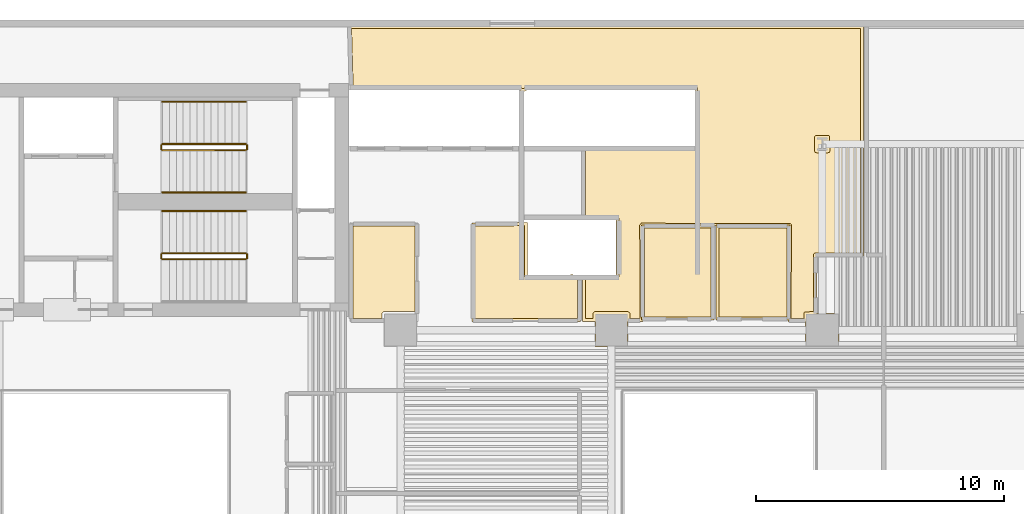
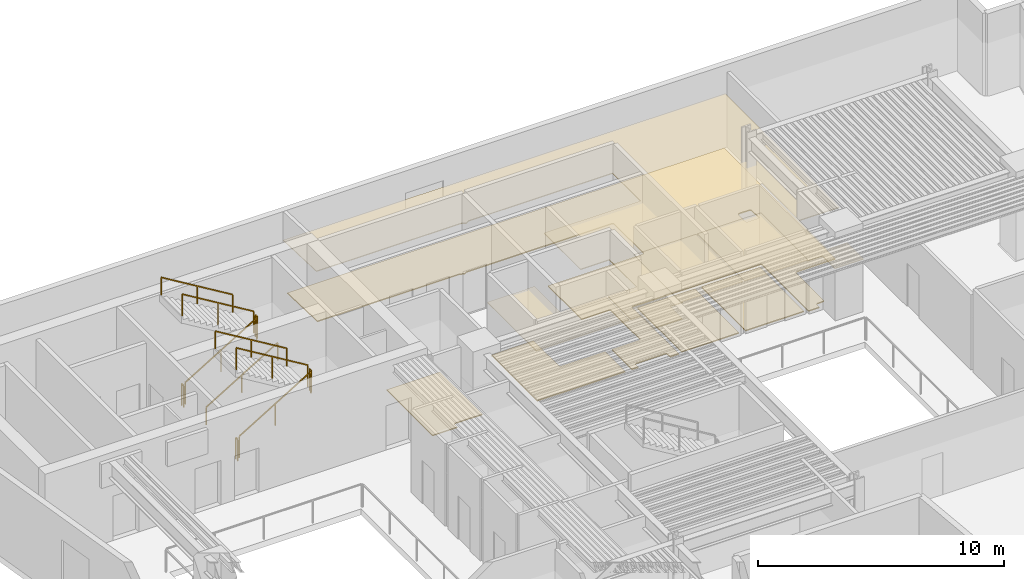
# One storey, part 11 of 12: 11 railings, 9 coverings.
"""IFC4 building model written with IfcOpenShell, lengths in metres."""

from ifc_helpers import new_model, si_unit, direction, frame, origin, origin_2d, place, context, subcontext, project, spatial, polyline, rectangle, outline, extrude, material, layer, layer_set, type_object, element, save


model = new_model("IFC4")

# Units and contexts
model_context = context("Model", 3, precision=1e-05, world=origin(), true_north=direction((0.0, 1.0)))
body_context = subcontext(model_context, "Body", "Model", "MODEL_VIEW")
ifc_project = project(units=[si_unit("LENGTHUNIT", "METRE"), si_unit("AREAUNIT", "SQUARE_METRE"), si_unit("VOLUMEUNIT", "CUBIC_METRE"), si_unit("PLANEANGLEUNIT", "RADIAN"), si_unit("MASSUNIT", "GRAM", prefix="KILO")], contexts=[model_context])

# Site, building, storey
site_placement = place(None, origin())
site = spatial("IfcSite", under=ifc_project, at=site_placement, CompositionType="ELEMENT")
building_placement = place(site_placement, origin())
building = spatial("IfcBuilding", under=site, at=building_placement, Name="Caeloran Harvest Quay", CompositionType="ELEMENT")
storey_placement = place(building_placement, frame((0.0, 0.0, 71.0)))
storey = spatial("IfcBuildingStorey", under=building, at=storey_placement, Name="L16", CompositionType="ELEMENT", Elevation=71.0)

# Coverings
ifc_material_1 = material(Name="Perforated Mineral-Fibre Acoustic Ceiling Tile", Category="ceiling")
ifc_layer_1 = layer(ifc_material_1, 0.0400390625, Name="Perforated Mineral-Fibre Acoustic Ceiling Tile")
ifc_layer_set_1 = layer_set([ifc_layer_1], Name="Perforated Mineral-Fibre Acoustic Ceiling Tile")
covering_type_1 = type_object("IfcCoveringType", Name="COV-CEILING-ACOUSTIC", PredefinedType="CEILING", material=ifc_layer_set_1)
covering_1_placement = place(storey_placement, frame((0.0, 0.0, 2.60009765625)))
element("IfcCovering", 1, at=covering_1_placement, inside=storey, type_object=covering_type_1, Name="L16 Core Telemetry West Room Acoustic Ceiling", PredefinedType="CEILING", context=body_context, shape_type="SweptSolid", body=[
    extrude(outline(polyline([(38.139892578125, 35.239990234375), (38.139892578125, 31.409912109375), (35.2099609375, 31.409912109375), (35.2099609375, 35.239990234375), (38.139892578125, 35.239990234375)])), origin(), (0.0, 0.0, 1.0), 0.039794921875),
])
covering_2_placement = place(storey_placement, frame((0.0, 0.0, 2.60009765625)))
element("IfcCovering", 2, at=covering_2_placement, inside=storey, type_object=covering_type_1, Name="L16 Core Metering East Room Acoustic Ceiling", PredefinedType="CEILING", context=body_context, shape_type="SweptSolid", body=[
    extrude(outline(polyline([(41.18994140625, 35.239990234375), (41.18994140625, 31.409912109375), (38.2099609375, 31.409912109375), (38.2099609375, 35.239990234375), (41.18994140625, 35.239990234375)])), origin(), (0.0, 0.0, 1.0), 0.039794921875),
])
covering_3_placement = place(storey_placement, frame((0.0, 0.0, 2.60009765625)))
element("IfcCovering", 3, at=covering_3_placement, inside=storey, type_object=covering_type_1, Name="Staff Wellness Lounge Acoustic Ceiling", PredefinedType="CEILING", context=body_context, shape_type="SweptSolid", body=[
    extrude(outline(polyline([(30.212890625, 35.31005859375), (30.22021484375, 35.330078125), (30.610107421875, 35.330078125), (30.610107421875, 33.2099609375), (32.34228515625, 33.2099609375), (32.34716796875, 33.22998046875), (32.45166015625, 33.235107421875), (32.457763671875, 33.2099609375), (32.760009765625, 33.2099609375), (32.760009765625, 31.340087890625), (28.389892578125, 31.340087890625), (28.389892578125, 35.31005859375), (30.212890625, 35.31005859375)])), origin(), (0.0, 0.0, 1.0), 0.039794921875),
])
covering_4_placement = place(storey_placement, frame((0.0, 0.0, 2.60009765625)))
element("IfcCovering", 4, at=covering_4_placement, inside=storey, type_object=covering_type_1, Name="Photobiology Spectrum Laboratory 11 Acoustic Ceiling", PredefinedType="CEILING", context=body_context, shape_type="SweptSolid", body=[
    extrude(outline(polyline([(33.330078125, 31.340087890625), (32.840087890625, 31.340087890625), (32.840087890625, 33.2099609375), (34.18994140625, 33.2099609375), (34.18994140625, 35.43994140625), (32.840087890625, 35.43994140625), (32.840087890625, 38.409912109375), (37.3701171875, 38.409912109375), (37.3701171875, 40.68994140625), (30.61083984375, 40.68994140625), (30.43994140625, 40.5888671875), (30.26904296875, 40.68994140625), (23.47119140625, 40.68994140625), (23.399658203125, 43.280029296875), (44.159912109375, 43.280029296875), (44.159912109375, 33.989990234375), (42.260009765625, 33.989990234375), (42.260009765625, 31.669921875), (43.169921875, 31.669921875), (43.169921875, 30.330078125), (41.830078125, 30.330078125), (41.830078125, 31.340087890625), (41.119873046875, 31.340087890625), (41.139892578125, 35.18994140625), (35.26025390625, 35.18994140625), (35.2802734375, 31.340087890625), (34.669921875, 31.340087890625), (34.669921875, 30.330078125), (33.330078125, 30.330078125), (33.330078125, 31.340087890625)])), origin(), (0.0, 0.0, 1.0), 0.039794921875),
])
ifc_material_2 = material(Name="Calcium-Sulphate Raised Access Floor and Terrazzo Finish", Category="flooring")
ifc_layer_2 = layer(ifc_material_2, 0.050048828125, Name="Calcium-Sulphate Raised Access Floor and Terrazzo Finish")
ifc_layer_set_2 = layer_set([ifc_layer_2], Name="Calcium-Sulphate Raised Access Floor and Terrazzo Finish")
covering_type_2 = type_object("IfcCoveringType", Name="COV-FLOOR-RAISED", PredefinedType="FLOORING", material=ifc_layer_set_2)
covering_5_placement = place(storey_placement, origin())
element("IfcCovering", 5, at=covering_5_placement, inside=storey, type_object=covering_type_2, Name="L16 Core Telemetry West Room Raised Finish Flooring", PredefinedType="FLOORING", context=body_context, shape_type="SweptSolid", body=[
    extrude(outline(polyline([(38.02001953125, 35.1201171875), (38.02001953125, 31.530029296875), (35.330078125, 31.530029296875), (35.330078125, 35.1201171875), (38.02001953125, 35.1201171875)])), origin(), (0.0, 0.0, 1.0), 0.050048828125),
])
covering_6_placement = place(storey_placement, origin())
element("IfcCovering", 6, at=covering_6_placement, inside=storey, type_object=covering_type_2, Name="L16 Core Metering East Room Raised Finish Flooring", PredefinedType="FLOORING", context=body_context, shape_type="SweptSolid", body=[
    extrude(outline(polyline([(41.070068359375, 35.1201171875), (41.070068359375, 31.530029296875), (38.330078125, 31.530029296875), (38.330078125, 35.1201171875), (41.070068359375, 35.1201171875)])), origin(), (0.0, 0.0, 1.0), 0.050048828125),
])
covering_7_placement = place(storey_placement, origin())
element("IfcCovering", 7, at=covering_7_placement, inside=storey, type_object=covering_type_2, Name="Staff Wellness Lounge Raised Finish Flooring", PredefinedType="FLOORING", context=body_context, shape_type="SweptSolid", body=[
    extrude(outline(polyline([(28.510009765625, 35.18994140625), (30.489990234375, 35.2099609375), (30.50634765625, 33.14208984375), (30.60009765625, 33.090087890625), (32.639892578125, 33.090087890625), (32.639892578125, 31.4599609375), (28.510009765625, 31.4599609375), (28.510009765625, 35.18994140625)])), origin(), (0.0, 0.0, 1.0), 0.050048828125),
])
covering_8_placement = place(storey_placement, origin())
element("IfcCovering", 8, at=covering_8_placement, inside=storey, type_object=covering_type_2, Name="Dwarf Citrus Mezzanine Growing Hall 9 Raised Finish Flooring", PredefinedType="FLOORING", context=body_context, shape_type="SweptSolid", body=[
    extrude(outline(polyline([(23.590087890625, 35.18994140625), (26.090087890625, 35.18994140625), (26.090087890625, 31.7451171875), (24.8271484375, 31.74462890625), (24.75830078125, 31.688232421875), (24.7548828125, 31.4599609375), (23.590087890625, 31.4599609375), (23.590087890625, 35.18994140625)])), origin(), (0.0, 0.0, 1.0), 0.050048828125),
])
covering_9_placement = place(storey_placement, origin())
element("IfcCovering", 9, at=covering_9_placement, inside=storey, type_object=covering_type_2, Name="Photobiology Spectrum Laboratory 11 Raised Finish Flooring", PredefinedType="FLOORING", context=body_context, shape_type="SweptSolid", body=[
    extrude(outline(polyline([(44.0400390625, 34.110107421875), (42.219970703125, 34.110107421875), (42.163330078125, 34.086669921875), (42.139892578125, 34.030029296875), (42.139892578125, 31.7451171875), (41.79052734375, 31.7314453125), (41.75537109375, 31.6728515625), (41.7548828125, 31.4599609375), (41.240478515625, 31.4599609375), (41.260009765625, 35.2294921875), (41.224609375, 35.29638671875), (35.204345703125, 35.30859375), (35.139892578125, 35.2294921875), (35.15966796875, 31.4599609375), (34.7451171875, 31.4599609375), (34.74169921875, 31.688232421875), (34.6650390625, 31.7451171875), (33.3193359375, 31.743408203125), (33.256591796875, 31.6806640625), (33.2548828125, 31.4599609375), (32.9599609375, 31.4599609375), (32.9599609375, 33.090087890625), (34.23779296875, 33.09033203125), (34.291748046875, 33.119140625), (34.31005859375, 33.169921875), (34.300537109375, 35.517578125), (34.22998046875, 35.56005859375), (32.9599609375, 35.56005859375), (32.9599609375, 38.2900390625), (37.44775390625, 38.29931640625), (37.489990234375, 38.3701171875), (37.4716796875, 40.78076171875), (37.409912109375, 40.81005859375), (30.60009765625, 40.81005859375), (30.43994140625, 40.728271484375), (30.280029296875, 40.81005859375), (23.587890625, 40.81005859375), (23.523193359375, 43.159912109375), (44.0400390625, 43.159912109375), (44.0400390625, 34.110107421875)]), holes=[polyline([(42.8134765625, 38.22802734375), (42.79541015625, 38.82275390625), (42.7412109375, 38.8515625), (42.2666015625, 38.85205078125), (42.2099609375, 38.82861328125), (42.1865234375, 38.77197265625), (42.1865234375, 38.22802734375), (42.2099609375, 38.17138671875), (42.2666015625, 38.14794921875), (42.7333984375, 38.14794921875), (42.7900390625, 38.17138671875), (42.8134765625, 38.22802734375)])]), origin(), (0.0, 0.0, 1.0), 0.050048828125),
])

# Railings
ifc_material_3 = material(Name="Painted Steel Baluster and Top-Rail Stair Guard", Category="steel")
ifc_layer_3 = layer(ifc_material_3, 0.050048828125, Name="Painted Steel Baluster and Top-Rail Stair Guard")
ifc_layer_set_3 = layer_set([ifc_layer_3], Name="Painted Steel Baluster and Top-Rail Stair Guard")
railing_type_1 = type_object("IfcRailingType", Name="STAIR-GUARD-1100", PredefinedType="GUARDRAIL", material=ifc_layer_set_3)
railing_1_placement = place(storey_placement, frame((15.89990234375, 38.25, 0.169189453125)))
element("IfcRailing", 10, at=railing_1_placement, inside=storey, type_object=railing_type_1, Name="L16 ST-C1 stair guard 1", PredefinedType="GUARDRAIL", context=body_context, shape_type="SweptSolid", body=[
    extrude(rectangle(XDim=0.048095703125, YDim=0.048095703125, at=origin_2d()), frame((0.0, 0.0, 1.076171875), z_axis=(0.855836976705, 0.0, 0.517245656632), x_axis=(0.0, 1.0, 0.0)), (0.0, 0.0, 1.0), 3.926025390625),
    extrude(rectangle(XDim=0.0419921875, YDim=0.0419921875, at=origin_2d()), origin(), (0.0, 0.0, 1.0), 1.052001953125),
    extrude(rectangle(XDim=0.0419921875, YDim=0.0419921875, at=origin_2d()), frame((1.68017578125, 0.0, 1.015380859375)), (0.0, 0.0, 1.0), 1.052001953125),
    extrude(rectangle(XDim=0.0419921875, YDim=0.0419921875, at=origin_2d()), frame((3.360107421875, 0.0, 2.03076171875)), (0.0, 0.0, 1.0), 1.052001953125),
])
railing_2_placement = place(storey_placement, frame((19.31005859375, 38.300048828125, 2.199951171875)))
element("IfcRailing", 11, at=railing_2_placement, inside=storey, type_object=railing_type_1, Name="L16 ST-C1 stair guard 2", PredefinedType="GUARDRAIL", context=body_context, shape_type="SweptSolid", body=[
    extrude(rectangle(XDim=0.048095703125, YDim=0.048095703125, at=origin_2d()), frame((0.0, 0.0, 1.076171875), z_axis=(0.0, 1.0, 0.0), x_axis=(-1.0, 0.0, 0.0)), (0.0, 0.0, 1.0), 0.14990234375),
    extrude(rectangle(XDim=0.0419921875, YDim=0.0419921875, at=origin_2d()), origin(), (0.0, 0.0, 1.0), 1.052001953125),
    extrude(rectangle(XDim=0.0419921875, YDim=0.0419921875, at=origin_2d()), frame((0.0, 0.14990234375, 0.0)), (0.0, 0.0, 1.0), 1.052001953125),
])
railing_3_placement = place(storey_placement, frame((19.260009765625, 38.5, 2.369140625)))
element("IfcRailing", 12, at=railing_3_placement, inside=storey, type_object=railing_type_1, Name="L16 ST-C1 stair guard 3", PredefinedType="GUARDRAIL", context=body_context, shape_type="SweptSolid", body=[
    extrude(rectangle(XDim=0.048095703125, YDim=0.048095703125, at=origin_2d()), frame((0.0, 0.0, 1.076171875), z_axis=(-0.855836976705, 0.0, 0.517245656632), x_axis=(0.0, -1.0, 0.0)), (0.0, 0.0, 1.0), 3.926025390625),
    extrude(rectangle(XDim=0.0419921875, YDim=0.0419921875, at=origin_2d()), origin(), (0.0, 0.0, 1.0), 1.052001953125),
    extrude(rectangle(XDim=0.0419921875, YDim=0.0419921875, at=origin_2d()), frame((-1.68017578125, 0.0, 1.015380859375)), (0.0, 0.0, 1.0), 1.052001953125),
    extrude(rectangle(XDim=0.0419921875, YDim=0.0419921875, at=origin_2d()), frame((-3.360107421875, 0.0, 2.03076171875)), (0.0, 0.0, 1.0), 1.052001953125),
])
railing_4_placement = place(storey_placement, frame((15.85009765625, 38.300048828125, 0.0)))
element("IfcRailing", 13, at=railing_4_placement, inside=storey, type_object=railing_type_1, Name="L16 ST-C1 stair guard 4", PredefinedType="GUARDRAIL", context=body_context, shape_type="SweptSolid", body=[
    extrude(rectangle(XDim=0.048095703125, YDim=0.048095703125, at=origin_2d()), frame((0.0, 0.0, 1.076171875), z_axis=(0.0, 1.0, 0.0), x_axis=(-1.0, 0.0, 0.0)), (0.0, 0.0, 1.0), 0.14990234375),
    extrude(rectangle(XDim=0.0419921875, YDim=0.0419921875, at=origin_2d()), origin(), (0.0, 0.0, 1.0), 1.052001953125),
    extrude(rectangle(XDim=0.0419921875, YDim=0.0419921875, at=origin_2d()), frame((0.0, 0.14990234375, 0.0)), (0.0, 0.0, 1.0), 1.052001953125),
])
railing_5_placement = place(storey_placement, frame((15.89990234375, 33.85009765625, 0.169189453125)))
element("IfcRailing", 14, at=railing_5_placement, inside=storey, type_object=railing_type_1, Name="L16 ST-C2 stair guard 1", PredefinedType="GUARDRAIL", context=body_context, shape_type="SweptSolid", body=[
    extrude(rectangle(XDim=0.048095703125, YDim=0.048095703125, at=origin_2d()), frame((0.0, 0.0, 1.076171875), z_axis=(0.855836976705, 0.0, 0.517245656632), x_axis=(0.0, 1.0, 0.0)), (0.0, 0.0, 1.0), 3.926025390625),
    extrude(rectangle(XDim=0.0419921875, YDim=0.0419921875, at=origin_2d()), origin(), (0.0, 0.0, 1.0), 1.052001953125),
    extrude(rectangle(XDim=0.0419921875, YDim=0.0419921875, at=origin_2d()), frame((1.68017578125, 0.0, 1.015380859375)), (0.0, 0.0, 1.0), 1.052001953125),
    extrude(rectangle(XDim=0.0419921875, YDim=0.0419921875, at=origin_2d()), frame((3.360107421875, 0.0, 2.03076171875)), (0.0, 0.0, 1.0), 1.052001953125),
])
railing_6_placement = place(storey_placement, frame((19.31005859375, 33.89990234375, 2.199951171875)))
element("IfcRailing", 15, at=railing_6_placement, inside=storey, type_object=railing_type_1, Name="L16 ST-C2 stair guard 2", PredefinedType="GUARDRAIL", context=body_context, shape_type="SweptSolid", body=[
    extrude(rectangle(XDim=0.048095703125, YDim=0.048095703125, at=origin_2d()), frame((0.0, 0.0, 1.076171875), z_axis=(0.0, 1.0, 0.0), x_axis=(-1.0, 0.0, 0.0)), (0.0, 0.0, 1.0), 0.150146484375),
    extrude(rectangle(XDim=0.0419921875, YDim=0.0419921875, at=origin_2d()), origin(), (0.0, 0.0, 1.0), 1.052001953125),
    extrude(rectangle(XDim=0.0419921875, YDim=0.0419921875, at=origin_2d()), frame((0.0, 0.150146484375, 0.0)), (0.0, 0.0, 1.0), 1.052001953125),
])
railing_7_placement = place(storey_placement, frame((19.260009765625, 34.10009765625, 2.369140625)))
element("IfcRailing", 16, at=railing_7_placement, inside=storey, type_object=railing_type_1, Name="L16 ST-C2 stair guard 3", PredefinedType="GUARDRAIL", context=body_context, shape_type="SweptSolid", body=[
    extrude(rectangle(XDim=0.048095703125, YDim=0.048095703125, at=origin_2d()), frame((0.0, 0.0, 1.076171875), z_axis=(-0.855836976705, 0.0, 0.517245656632), x_axis=(0.0, -1.0, 0.0)), (0.0, 0.0, 1.0), 3.926025390625),
    extrude(rectangle(XDim=0.0419921875, YDim=0.0419921875, at=origin_2d()), origin(), (0.0, 0.0, 1.0), 1.052001953125),
    extrude(rectangle(XDim=0.0419921875, YDim=0.0419921875, at=origin_2d()), frame((-1.68017578125, 0.0, 1.015380859375)), (0.0, 0.0, 1.0), 1.052001953125),
    extrude(rectangle(XDim=0.0419921875, YDim=0.0419921875, at=origin_2d()), frame((-3.360107421875, 0.0, 2.03076171875)), (0.0, 0.0, 1.0), 1.052001953125),
])
railing_8_placement = place(storey_placement, frame((15.85009765625, 33.89990234375, 0.0)))
element("IfcRailing", 17, at=railing_8_placement, inside=storey, type_object=railing_type_1, Name="L16 ST-C2 stair guard 4", PredefinedType="GUARDRAIL", context=body_context, shape_type="SweptSolid", body=[
    extrude(rectangle(XDim=0.048095703125, YDim=0.048095703125, at=origin_2d()), frame((0.0, 0.0, 1.076171875), z_axis=(0.0, 1.0, 0.0), x_axis=(-1.0, 0.0, 0.0)), (0.0, 0.0, 1.0), 0.150146484375),
    extrude(rectangle(XDim=0.0419921875, YDim=0.0419921875, at=origin_2d()), origin(), (0.0, 0.0, 1.0), 1.052001953125),
    extrude(rectangle(XDim=0.0419921875, YDim=0.0419921875, at=origin_2d()), frame((0.0, 0.150146484375, 0.0)), (0.0, 0.0, 1.0), 1.052001953125),
])
ifc_material_4 = material(Name="Brushed Stainless Steel Grade 304", Category="steel")
ifc_layer_4 = layer(ifc_material_4, 0.050048828125, Name="Brushed Stainless Steel Grade 304")
ifc_layer_set_4 = layer_set([ifc_layer_4], Name="Brushed Stainless Steel Grade 304")
railing_type_2 = type_object("IfcRailingType", Name="STAIR-HANDRAIL-900", PredefinedType="HANDRAIL", material=ifc_layer_set_4)
railing_9_placement = place(storey_placement, frame((15.89990234375, 36.550048828125, 0.169189453125)))
element("IfcRailing", 18, at=railing_9_placement, inside=storey, type_object=railing_type_2, Name="L16 ST-C1 stair handrail 1", PredefinedType="HANDRAIL", context=body_context, shape_type="SweptSolid", body=[
    extrude(rectangle(XDim=0.048095703125, YDim=0.048095703125, at=origin_2d()), frame((0.0, 0.0, 0.8759765625), z_axis=(0.855836976705, 0.0, 0.517245656632), x_axis=(0.0, 1.0, 0.0)), (0.0, 0.0, 1.0), 3.926025390625),
    extrude(rectangle(XDim=0.0419921875, YDim=0.0419921875, at=origin_2d()), origin(), (0.0, 0.0, 1.0), 0.851806640625),
    extrude(rectangle(XDim=0.0419921875, YDim=0.0419921875, at=origin_2d()), frame((1.68017578125, 0.0, 1.015380859375)), (0.0, 0.0, 1.0), 0.851806640625),
    extrude(rectangle(XDim=0.0419921875, YDim=0.0419921875, at=origin_2d()), frame((3.360107421875, 0.0, 2.03076171875)), (0.0, 0.0, 1.0), 0.851806640625),
])
for number, where, name in (
    (19, (19.260009765625, 40.199951171875, 2.369140625), "L16 ST-C1 stair handrail 2"),
    (20, (19.260009765625, 35.800048828125, 2.369140625), "L16 ST-C2 stair handrail 2"),
):
    element("IfcRailing", number, at=place(storey_placement, frame(where)), inside=storey, type_object=railing_type_2, Name=name, PredefinedType="HANDRAIL", context=body_context, shape_type="SweptSolid", body=[
        extrude(rectangle(XDim=0.048095703125, YDim=0.048095703125, at=origin_2d()), frame((0.0, 0.0, 0.8759765625), z_axis=(-0.855836976705, 0.0, 0.517245656632), x_axis=(0.0, -1.0, 0.0)), (0.0, 0.0, 1.0), 3.926025390625),
        extrude(rectangle(XDim=0.0419921875, YDim=0.0419921875, at=origin_2d()), origin(), (0.0, 0.0, 1.0), 0.851806640625),
        extrude(rectangle(XDim=0.0419921875, YDim=0.0419921875, at=origin_2d()), frame((-1.68017578125, 0.0, 1.015380859375)), (0.0, 0.0, 1.0), 0.851806640625),
        extrude(rectangle(XDim=0.0419921875, YDim=0.0419921875, at=origin_2d()), frame((-3.360107421875, 0.0, 2.03076171875)), (0.0, 0.0, 1.0), 0.851806640625),
    ])

save(model, "model.ifc")
